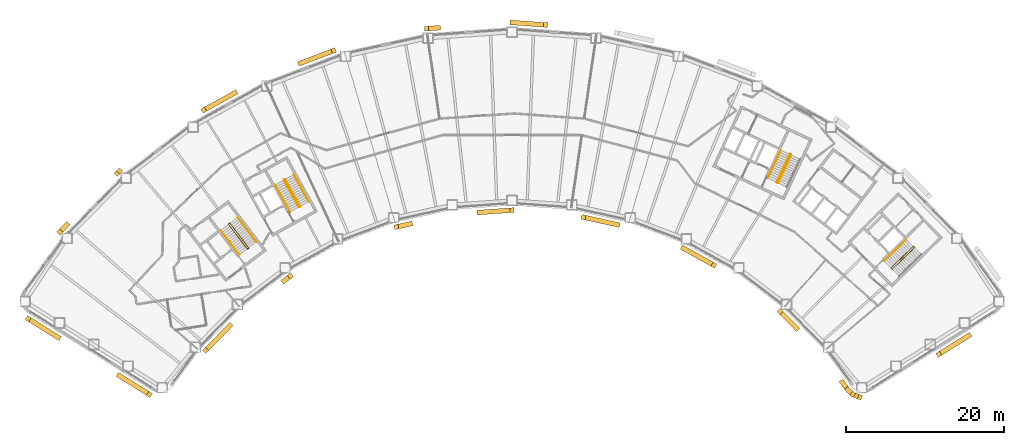
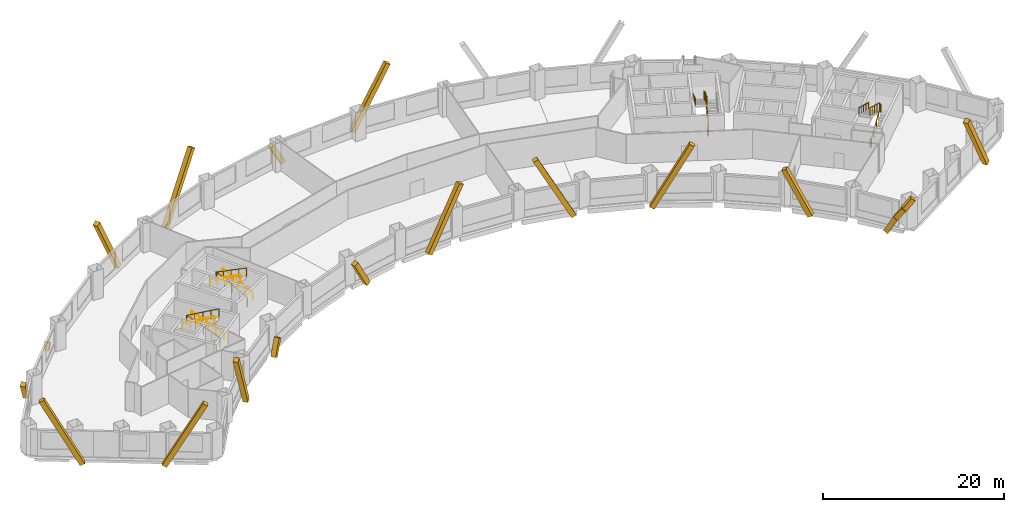
# One storey, part 10 of 11: 19 coverings, 10 railings.
"""IFC4 building model written with IfcOpenShell, lengths in metres."""

from ifc_helpers import new_model, si_unit, direction, frame, origin, origin_2d, place, context, subcontext, project, spatial, rectangle, circle, extrude, material, material_profile, profile_set, type_object, element, save


model = new_model("IFC4")

# Units and contexts
model_context = context("Model", 3, precision=1e-05, world=origin(), true_north=direction((0.0, 1.0)))
body_context = subcontext(model_context, "Body", "Model", "MODEL_VIEW")
ifc_project = project(units=[si_unit("LENGTHUNIT", "METRE"), si_unit("AREAUNIT", "SQUARE_METRE"), si_unit("VOLUMEUNIT", "CUBIC_METRE"), si_unit("PLANEANGLEUNIT", "RADIAN"), si_unit("MASSUNIT", "GRAM", prefix="KILO")], contexts=[model_context])

# Site, building, storey
site_placement = place(None, origin())
site = spatial("IfcSite", under=ifc_project, at=site_placement, CompositionType="ELEMENT")
building_placement = place(site_placement, origin())
building = spatial("IfcBuilding", under=site, at=building_placement, Name="Tuul Gate Civic Tower", CompositionType="ELEMENT")
storey_placement = place(building_placement, frame((0.0, 0.0, 39.89990234375)))
storey = spatial("IfcBuildingStorey", under=building, at=storey_placement, Name="Level 08", CompositionType="ELEMENT", Elevation=39.89990234375)

# Railings
ifc_material_1 = material(Name="Painted steel", Category="steel")
railing_type_1 = type_object("IfcRailingType", Name="Stair guard", PredefinedType="GUARDRAIL", material=ifc_material_1)
railing_1_placement = place(storey_placement, frame((-33.382080078125, -13.515380859375, 0.0)))
element("IfcRailing", 1, at=railing_1_placement, inside=storey, type_object=railing_type_1, Name="Level 08 ST-1 stair guard 1", PredefinedType="GUARDRAIL", context=body_context, shape_type="SweptSolid", body=[
    extrude(circle(Radius=0.02392578125, at=origin_2d()), frame((0.0, 0.0, 1.076171875), z_axis=(-0.795879841968, -0.605454603706, 0.0), x_axis=(0.605454603706, -0.795879841968, 0.0)), (0.0, 0.0, 1.0), 0.10009765625),
    extrude(circle(Radius=0.02392578125, at=origin_2d()), frame((-0.07958984375, -0.060546875, 1.076171875), z_axis=(0.408676696321, 0.599019267211, 0.688592241747), x_axis=(-0.826063974707, 0.563576356576, 0.0)), (0.0, 0.0, 1.0), 0.218017578125),
    extrude(circle(Radius=0.02392578125, at=origin_2d()), frame((0.009521484375, 0.070068359375, 1.22607421875), z_axis=(-0.541824460341, 0.711645023348, 0.447199748346), x_axis=(-0.795637165283, -0.60577347352, 0.0)), (0.0, 0.0, 1.0), 4.3603515625),
    extrude(circle(Radius=0.02392578125, at=origin_2d()), frame((-2.35302734375, 3.173095703125, 3.17626953125), z_axis=(-0.990893089246, 0.134650977284, 0.0), x_axis=(-0.134650977284, -0.990893089246, 0.0)), (0.0, 0.0, 1.0), 0.07080078125),
    extrude(circle(Radius=0.02392578125, at=origin_2d()), frame((-2.423095703125, 3.1826171875, 3.17626953125), z_axis=(-0.793802879778, -0.60817512943, 0.0), x_axis=(0.60817512943, -0.793802879778, 0.0)), (0.0, 0.0, 1.0), 0.099853515625),
    extrude(circle(Radius=0.02392578125, at=origin_2d()), frame((-2.50244140625, 3.121826171875, 3.17626953125), z_axis=(-0.057447065493, -0.422751481959, 0.904423031091), x_axis=(0.990893089246, -0.134650977284, 0.0)), (0.0, 0.0, 1.0), 0.165771484375),
    extrude(circle(Radius=0.02392578125, at=origin_2d()), frame((-2.511962890625, 3.0517578125, 3.326171875), z_axis=(0.541792925989, -0.711621155064, 0.447275929392), x_axis=(0.795644365679, 0.605764016233, 0.0)), (0.0, 0.0, 1.0), 4.360107421875),
    extrude(circle(Radius=0.02099609375, at=origin_2d()), origin(), (0.0, 0.0, 1.0), 1.052001953125),
    extrude(circle(Radius=0.02099609375, at=origin_2d()), frame((-0.07958984375, -0.060546875, 0.0)), (0.0, 0.0, 1.0), 1.052001953125),
    extrude(circle(Radius=0.02099609375, at=origin_2d()), frame((0.009521484375, 0.070068359375, 0.150146484375)), (0.0, 0.0, 1.0), 1.052001953125),
    extrude(circle(Radius=0.02099609375, at=origin_2d()), frame((-0.5810546875, 0.845703125, 0.6376953125)), (0.0, 0.0, 1.0), 1.052001953125),
    extrude(circle(Radius=0.02099609375, at=origin_2d()), frame((-1.171875, 1.62158203125, 1.125)), (0.0, 0.0, 1.0), 1.052001953125),
    extrude(circle(Radius=0.02099609375, at=origin_2d()), frame((-1.762451171875, 2.3974609375, 1.612548828125)), (0.0, 0.0, 1.0), 1.052001953125),
    extrude(circle(Radius=0.02099609375, at=origin_2d()), frame((-2.35302734375, 3.173095703125, 2.10009765625)), (0.0, 0.0, 1.0), 1.052001953125),
    extrude(circle(Radius=0.02099609375, at=origin_2d()), frame((-2.423095703125, 3.1826171875, 2.10009765625)), (0.0, 0.0, 1.0), 1.052001953125),
    extrude(circle(Radius=0.02099609375, at=origin_2d()), frame((-2.50244140625, 3.121826171875, 2.10009765625)), (0.0, 0.0, 1.0), 1.052001953125),
    extrude(circle(Radius=0.02099609375, at=origin_2d()), frame((-2.511962890625, 3.0517578125, 2.25)), (0.0, 0.0, 1.0), 1.052001953125),
    extrude(circle(Radius=0.02099609375, at=origin_2d()), frame((-1.92138671875, 2.276123046875, 2.737548828125)), (0.0, 0.0, 1.0), 1.052001953125),
    extrude(circle(Radius=0.02099609375, at=origin_2d()), frame((-1.330810546875, 1.50048828125, 3.22509765625)), (0.0, 0.0, 1.0), 1.052001953125),
    extrude(circle(Radius=0.02099609375, at=origin_2d()), frame((-0.740234375, 0.724609375, 3.712646484375)), (0.0, 0.0, 1.0), 1.052001953125),
    extrude(circle(Radius=0.02099609375, at=origin_2d()), frame((-0.149658203125, -0.051025390625, 4.2001953125)), (0.0, 0.0, 1.0), 1.052001953125),
])
railing_2_placement = place(storey_placement, frame((-26.857666015625, -8.247314453125, 0.0)))
element("IfcRailing", 2, at=railing_2_placement, inside=storey, type_object=railing_type_1, Name="Level 08 ST-2 stair guard 1", PredefinedType="GUARDRAIL", context=body_context, shape_type="SweptSolid", body=[
    extrude(circle(Radius=0.02392578125, at=origin_2d()), frame((0.0, 0.0, 1.076171875), z_axis=(-0.874616555828, -0.48481530532, 0.0), x_axis=(0.48481530532, -0.874616555828, 0.0)), (0.0, 0.0, 1.0), 0.10009765625),
    extrude(circle(Radius=0.02392578125, at=origin_2d()), frame((-0.087646484375, -0.048583984375, 1.076171875), z_axis=(0.490435707169, 0.534104639999, 0.688625479244), x_axis=(-0.736576986774, 0.676353711126, 0.0)), (0.0, 0.0, 1.0), 0.218017578125),
    extrude(circle(Radius=0.02392578125, at=origin_2d()), frame((0.019287109375, 0.06787109375, 1.22607421875), z_axis=(-0.43354991378, 0.782327185242, 0.447212083348), x_axis=(-0.874667644053, -0.484723129681, 0.0)), (0.0, 0.0, 1.0), 4.3603515625),
    extrude(circle(Radius=0.02392578125, at=origin_2d()), frame((-1.87109375, 3.47900390625, 3.17626953125), z_axis=(-0.961263487578, 0.275631107549, 0.0), x_axis=(-0.275631107549, -0.961263487578, 0.0)), (0.0, 0.0, 1.0), 0.07080078125),
    extrude(circle(Radius=0.02392578125, at=origin_2d()), frame((-1.939208984375, 3.49853515625, 3.17626953125), z_axis=(-0.874042088414, -0.485850211157, 0.0), x_axis=(0.485850211157, -0.874042088414, 0.0)), (0.0, 0.0, 1.0), 0.10009765625),
    extrude(circle(Radius=0.02392578125, at=origin_2d()), frame((-2.026611328125, 3.449951171875, 3.17626953125), z_axis=(-0.117866478395, -0.409586012422, 0.90462522168), x_axis=(0.961000426733, -0.276546885391, 0.0)), (0.0, 0.0, 1.0), 0.165771484375),
    extrude(circle(Radius=0.02392578125, at=origin_2d()), frame((-2.046142578125, 3.382080078125, 3.326171875), z_axis=(0.433584522764, -0.782288604346, 0.447246018574), x_axis=(0.874641102302, 0.484771020343, 0.0)), (0.0, 0.0, 1.0), 4.3603515625),
    extrude(circle(Radius=0.02099609375, at=origin_2d()), origin(), (0.0, 0.0, 1.0), 1.052001953125),
    extrude(circle(Radius=0.02099609375, at=origin_2d()), frame((-0.087646484375, -0.048583984375, 0.0)), (0.0, 0.0, 1.0), 1.052001953125),
    extrude(circle(Radius=0.02099609375, at=origin_2d()), frame((0.019287109375, 0.06787109375, 0.150146484375)), (0.0, 0.0, 1.0), 1.052001953125),
    extrude(circle(Radius=0.02099609375, at=origin_2d()), frame((-0.453369140625, 0.920654296875, 0.6376953125)), (0.0, 0.0, 1.0), 1.052001953125),
    extrude(circle(Radius=0.02099609375, at=origin_2d()), frame((-0.92578125, 1.7734375, 1.125)), (0.0, 0.0, 1.0), 1.052001953125),
    extrude(circle(Radius=0.02099609375, at=origin_2d()), frame((-1.3984375, 2.626220703125, 1.612548828125)), (0.0, 0.0, 1.0), 1.052001953125),
    extrude(circle(Radius=0.02099609375, at=origin_2d()), frame((-1.87109375, 3.47900390625, 2.10009765625)), (0.0, 0.0, 1.0), 1.052001953125),
    extrude(circle(Radius=0.02099609375, at=origin_2d()), frame((-1.939208984375, 3.49853515625, 2.10009765625)), (0.0, 0.0, 1.0), 1.052001953125),
    extrude(circle(Radius=0.02099609375, at=origin_2d()), frame((-2.026611328125, 3.449951171875, 2.10009765625)), (0.0, 0.0, 1.0), 1.052001953125),
    extrude(circle(Radius=0.02099609375, at=origin_2d()), frame((-2.046142578125, 3.382080078125, 2.25)), (0.0, 0.0, 1.0), 1.052001953125),
    extrude(circle(Radius=0.02099609375, at=origin_2d()), frame((-1.573486328125, 2.529296875, 2.737548828125)), (0.0, 0.0, 1.0), 1.052001953125),
    extrude(circle(Radius=0.02099609375, at=origin_2d()), frame((-1.100830078125, 1.676513671875, 3.22509765625)), (0.0, 0.0, 1.0), 1.052001953125),
    extrude(circle(Radius=0.02099609375, at=origin_2d()), frame((-0.628173828125, 0.82373046875, 3.712646484375)), (0.0, 0.0, 1.0), 1.052001953125),
    extrude(circle(Radius=0.02099609375, at=origin_2d()), frame((-0.155517578125, -0.029052734375, 4.2001953125)), (0.0, 0.0, 1.0), 1.052001953125),
])
railing_3_placement = place(storey_placement, frame((48.10546875, -16.134765625, 0.0)))
element("IfcRailing", 3, at=railing_3_placement, inside=storey, type_object=railing_type_1, Name="Level 08 ST-3 stair guard 1", PredefinedType="GUARDRAIL", context=body_context, shape_type="SweptSolid", body=[
    extrude(circle(Radius=0.02392578125, at=origin_2d()), frame((0.0, 0.0, 1.076171875), z_axis=(-0.698506948293, 0.715603272202, 0.0), x_axis=(-0.715603272202, -0.698506948293, 0.0)), (0.0, 0.0, 1.0), 0.099853515625),
    extrude(circle(Radius=0.02392578125, at=origin_2d()), frame((-0.06982421875, 0.071533203125, 1.076171875), z_axis=(0.644948864628, -0.331432055434, 0.688617277337), x_axis=(0.457068866502, 0.889431307788, 0.0)), (0.0, 0.0, 1.0), 0.218017578125),
    extrude(circle(Radius=0.02392578125, at=origin_2d()), frame((0.07080078125, -0.000732421875, 1.22607421875), z_axis=(0.638731261263, 0.626133563701, 0.447190268558), x_axis=(-0.700029477518, 0.714113947914, 0.0)), (0.0, 0.0, 1.0), 4.3603515625),
    extrude(circle(Radius=0.02392578125, at=origin_2d()), frame((2.85595703125, 2.7294921875, 3.17626953125), z_axis=(0.010380063588, 0.999946125689, 0.0), x_axis=(-0.999946125689, 0.010380063588, 0.0)), (0.0, 0.0, 1.0), 0.070556640625),
    extrude(circle(Radius=0.02392578125, at=origin_2d()), frame((2.856689453125, 2.800048828125, 3.17626953125), z_axis=(-0.699754442181, 0.714383454909, 0.0), x_axis=(-0.714383454909, -0.699754442181, 0.0)), (0.0, 0.0, 1.0), 0.10009765625),
    extrude(circle(Radius=0.02392578125, at=origin_2d()), frame((2.78662109375, 2.87158203125, 3.17626953125), z_axis=(-0.427069033481, 0.004417955519, 0.904208229508), x_axis=(-0.010344274102, -0.999946496565, 0.0)), (0.0, 0.0, 1.0), 0.165771484375),
    extrude(circle(Radius=0.02392578125, at=origin_2d()), frame((2.7158203125, 2.872314453125, 3.326171875), z_axis=(-0.638715268259, -0.626117886127, 0.447235059857), x_axis=(0.700029477518, -0.714113947914, 0.0)), (0.0, 0.0, 1.0), 4.360595703125),
    extrude(circle(Radius=0.02099609375, at=origin_2d()), origin(), (0.0, 0.0, 1.0), 1.052001953125),
    extrude(circle(Radius=0.02099609375, at=origin_2d()), frame((-0.06982421875, 0.071533203125, 0.0)), (0.0, 0.0, 1.0), 1.052001953125),
    extrude(circle(Radius=0.02099609375, at=origin_2d()), frame((0.07080078125, -0.000732421875, 0.150146484375)), (0.0, 0.0, 1.0), 1.052001953125),
    extrude(circle(Radius=0.02099609375, at=origin_2d()), frame((0.76708984375, 0.681884765625, 0.6376953125)), (0.0, 0.0, 1.0), 1.052001953125),
    extrude(circle(Radius=0.02099609375, at=origin_2d()), frame((1.46337890625, 1.3642578125, 1.125)), (0.0, 0.0, 1.0), 1.052001953125),
    extrude(circle(Radius=0.02099609375, at=origin_2d()), frame((2.15966796875, 2.046875, 1.612548828125)), (0.0, 0.0, 1.0), 1.052001953125),
    extrude(circle(Radius=0.02099609375, at=origin_2d()), frame((2.85595703125, 2.7294921875, 2.10009765625)), (0.0, 0.0, 1.0), 1.052001953125),
    extrude(circle(Radius=0.02099609375, at=origin_2d()), frame((2.856689453125, 2.800048828125, 2.10009765625)), (0.0, 0.0, 1.0), 1.052001953125),
    extrude(circle(Radius=0.02099609375, at=origin_2d()), frame((2.78662109375, 2.87158203125, 2.10009765625)), (0.0, 0.0, 1.0), 1.052001953125),
    extrude(circle(Radius=0.02099609375, at=origin_2d()), frame((2.7158203125, 2.872314453125, 2.25)), (0.0, 0.0, 1.0), 1.052001953125),
    extrude(circle(Radius=0.02099609375, at=origin_2d()), frame((2.01953125, 2.189697265625, 2.737548828125)), (0.0, 0.0, 1.0), 1.052001953125),
    extrude(circle(Radius=0.02099609375, at=origin_2d()), frame((1.3232421875, 1.50732421875, 3.22509765625)), (0.0, 0.0, 1.0), 1.052001953125),
    extrude(circle(Radius=0.02099609375, at=origin_2d()), frame((0.626953125, 0.82470703125, 3.712646484375)), (0.0, 0.0, 1.0), 1.052001953125),
    extrude(circle(Radius=0.02099609375, at=origin_2d()), frame((-0.0693359375, 0.14208984375, 4.2001953125)), (0.0, 0.0, 1.0), 1.052001953125),
])
railing_4_placement = place(storey_placement, frame((33.645751953125, -5.238525390625, 0.0)))
element("IfcRailing", 4, at=railing_4_placement, inside=storey, type_object=railing_type_1, Name="Level 08 ST-4 stair guard 1", PredefinedType="GUARDRAIL", context=body_context, shape_type="SweptSolid", body=[
    extrude(circle(Radius=0.02392578125, at=origin_2d()), frame((0.0, 0.0, 1.076171875), z_axis=(-0.906307919131, 0.422617978463, 0.0), x_axis=(-0.422617978463, -0.906307919131, 0.0)), (0.0, 0.0, 1.0), 0.099853515625),
    extrude(circle(Radius=0.02392578125, at=origin_2d()), frame((-0.090576171875, 0.042236328125, 1.076171875), z_axis=(0.720179819621, -0.082882280952, 0.688818956559), x_axis=(0.114330889033, 0.993442724979, 0.0)), (0.0, 0.0, 1.0), 0.218017578125),
    extrude(circle(Radius=0.02392578125, at=origin_2d()), frame((0.06640625, 0.024169921875, 1.22607421875), z_axis=(0.377946903738, 0.810654114417, 0.447209173356), x_axis=(-0.906336612539, 0.422556439746, 0.0)), (0.0, 0.0, 1.0), 4.3603515625),
    extrude(circle(Radius=0.02392578125, at=origin_2d()), frame((1.71435546875, 3.558837890625, 3.17626953125), z_axis=(-0.342020437038, 0.939692513883, 0.0), x_axis=(-0.939692513883, -0.342020437038, 0.0)), (0.0, 0.0, 1.0), 0.070556640625),
    extrude(circle(Radius=0.02392578125, at=origin_2d()), frame((1.690185546875, 3.625244140625, 3.17626953125), z_axis=(-0.906307919131, 0.422617978463, 0.0), x_axis=(-0.422617978463, -0.906307919131, 0.0)), (0.0, 0.0, 1.0), 0.099853515625),
    extrude(circle(Radius=0.02392578125, at=origin_2d()), frame((1.599609375, 3.66748046875, 3.17626953125), z_axis=(-0.40070210376, -0.145843780413, 0.904526072458), x_axis=(0.342020437038, -0.939692513883, 0.0)), (0.0, 0.0, 1.0), 0.165771484375),
    extrude(circle(Radius=0.02392578125, at=origin_2d()), frame((1.533203125, 3.643310546875, 3.326171875), z_axis=(-0.377937439636, -0.810633814971, 0.447253965602), x_axis=(0.906336612539, -0.422556439746, 0.0)), (0.0, 0.0, 1.0), 4.3603515625),
    extrude(circle(Radius=0.02099609375, at=origin_2d()), origin(), (0.0, 0.0, 1.0), 1.052001953125),
    extrude(circle(Radius=0.02099609375, at=origin_2d()), frame((-0.090576171875, 0.042236328125, 0.0)), (0.0, 0.0, 1.0), 1.052001953125),
    extrude(circle(Radius=0.02099609375, at=origin_2d()), frame((0.06640625, 0.024169921875, 0.150146484375)), (0.0, 0.0, 1.0), 1.052001953125),
    extrude(circle(Radius=0.02099609375, at=origin_2d()), frame((0.478515625, 0.90771484375, 0.6376953125)), (0.0, 0.0, 1.0), 1.052001953125),
    extrude(circle(Radius=0.02099609375, at=origin_2d()), frame((0.890380859375, 1.79150390625, 1.125)), (0.0, 0.0, 1.0), 1.052001953125),
    extrude(circle(Radius=0.02099609375, at=origin_2d()), frame((1.30224609375, 2.67529296875, 1.612548828125)), (0.0, 0.0, 1.0), 1.052001953125),
    extrude(circle(Radius=0.02099609375, at=origin_2d()), frame((1.71435546875, 3.558837890625, 2.10009765625)), (0.0, 0.0, 1.0), 1.052001953125),
    extrude(circle(Radius=0.02099609375, at=origin_2d()), frame((1.690185546875, 3.625244140625, 2.10009765625)), (0.0, 0.0, 1.0), 1.052001953125),
    extrude(circle(Radius=0.02099609375, at=origin_2d()), frame((1.599609375, 3.66748046875, 2.10009765625)), (0.0, 0.0, 1.0), 1.052001953125),
    extrude(circle(Radius=0.02099609375, at=origin_2d()), frame((1.533203125, 3.643310546875, 2.25)), (0.0, 0.0, 1.0), 1.052001953125),
    extrude(circle(Radius=0.02099609375, at=origin_2d()), frame((1.12109375, 2.759765625, 2.737548828125)), (0.0, 0.0, 1.0), 1.052001953125),
    extrude(circle(Radius=0.02099609375, at=origin_2d()), frame((0.709228515625, 1.8759765625, 3.22509765625)), (0.0, 0.0, 1.0), 1.052001953125),
    extrude(circle(Radius=0.02099609375, at=origin_2d()), frame((0.29736328125, 0.9921875, 3.712646484375)), (0.0, 0.0, 1.0), 1.052001953125),
    extrude(circle(Radius=0.02099609375, at=origin_2d()), frame((-0.11474609375, 0.108642578125, 4.2001953125)), (0.0, 0.0, 1.0), 1.052001953125),
])
ifc_material_2 = material(Name="Painted steel", Category="steel")
railing_type_2 = type_object("IfcRailingType", Name="Stair handrail", PredefinedType="HANDRAIL", material=ifc_material_2)
railing_5_placement = place(storey_placement, frame((-32.3779296875, -12.688232421875, 0.150146484375)))
element("IfcRailing", 5, at=railing_5_placement, inside=storey, type_object=railing_type_2, Name="Level 08 ST-1 stair handrail 1", PredefinedType="HANDRAIL", context=body_context, shape_type="SweptSolid", body=[
    extrude(circle(Radius=0.02392578125, at=origin_2d()), frame((0.0, 0.0, 0.8759765625), z_axis=(-0.541824460341, 0.711645023348, 0.447199748346), x_axis=(-0.795637165283, -0.60577347352, 0.0)), (0.0, 0.0, 1.0), 4.3603515625),
    extrude(circle(Radius=0.02099609375, at=origin_2d()), origin(), (0.0, 0.0, 1.0), 0.851806640625),
    extrude(circle(Radius=0.02099609375, at=origin_2d()), frame((-0.590576171875, 0.77587890625, 0.487548828125)), (0.0, 0.0, 1.0), 0.851806640625),
    extrude(circle(Radius=0.02099609375, at=origin_2d()), frame((-1.18115234375, 1.551513671875, 0.97509765625)), (0.0, 0.0, 1.0), 0.851806640625),
    extrude(circle(Radius=0.02099609375, at=origin_2d()), frame((-1.77197265625, 2.3271484375, 1.46240234375)), (0.0, 0.0, 1.0), 0.851806640625),
    extrude(circle(Radius=0.02099609375, at=origin_2d()), frame((-2.362548828125, 3.10302734375, 1.949951171875)), (0.0, 0.0, 1.0), 0.851806640625),
])
railing_6_placement = place(storey_placement, frame((-36.888671875, -11.220703125, 2.25)))
element("IfcRailing", 6, at=railing_6_placement, inside=storey, type_object=railing_type_2, Name="Level 08 ST-1 stair handrail 2", PredefinedType="HANDRAIL", context=body_context, shape_type="SweptSolid", body=[
    extrude(circle(Radius=0.02392578125, at=origin_2d()), frame((0.0, 0.0, 0.8759765625), z_axis=(0.541810893183, -0.711627203922, 0.44724454012), x_axis=(0.795637165283, 0.60577347352, 0.0)), (0.0, 0.0, 1.0), 4.3603515625),
    extrude(circle(Radius=0.02099609375, at=origin_2d()), origin(), (0.0, 0.0, 1.0), 0.851806640625),
    extrude(circle(Radius=0.02099609375, at=origin_2d()), frame((0.590576171875, -0.77587890625, 0.487548828125)), (0.0, 0.0, 1.0), 0.851806640625),
    extrude(circle(Radius=0.02099609375, at=origin_2d()), frame((1.18115234375, -1.551513671875, 0.97509765625)), (0.0, 0.0, 1.0), 0.851806640625),
    extrude(circle(Radius=0.02099609375, at=origin_2d()), frame((1.77197265625, -2.3271484375, 1.462646484375)), (0.0, 0.0, 1.0), 0.851806640625),
    extrude(circle(Radius=0.02099609375, at=origin_2d()), frame((2.362548828125, -3.10302734375, 1.9501953125)), (0.0, 0.0, 1.0), 0.851806640625),
])
railing_7_placement = place(storey_placement, frame((-25.744873046875, -7.573486328125, 0.150146484375)))
element("IfcRailing", 7, at=railing_7_placement, inside=storey, type_object=railing_type_2, Name="Level 08 ST-2 stair handrail 1", PredefinedType="HANDRAIL", context=body_context, shape_type="SweptSolid", body=[
    extrude(circle(Radius=0.02392578125, at=origin_2d()), frame((0.0, 0.0, 0.8759765625), z_axis=(-0.433595379963, 0.782308193291, 0.447201226726), x_axis=(-0.874641102302, -0.484771020343, 0.0)), (0.0, 0.0, 1.0), 4.3603515625),
    extrude(circle(Radius=0.02099609375, at=origin_2d()), origin(), (0.0, 0.0, 1.0), 0.851806640625),
    extrude(circle(Radius=0.02099609375, at=origin_2d()), frame((-0.47265625, 0.852783203125, 0.487548828125)), (0.0, 0.0, 1.0), 0.851806640625),
    extrude(circle(Radius=0.02099609375, at=origin_2d()), frame((-0.9453125, 1.70556640625, 0.97509765625)), (0.0, 0.0, 1.0), 0.851806640625),
    extrude(circle(Radius=0.02099609375, at=origin_2d()), frame((-1.41796875, 2.558349609375, 1.46240234375)), (0.0, 0.0, 1.0), 0.851806640625),
    extrude(circle(Radius=0.02099609375, at=origin_2d()), frame((-1.890625, 3.4111328125, 1.949951171875)), (0.0, 0.0, 1.0), 0.851806640625),
])
railing_8_placement = place(storey_placement, frame((-29.9970703125, -5.47119140625, 2.25)))
element("IfcRailing", 8, at=railing_8_placement, inside=storey, type_object=railing_type_2, Name="Level 08 ST-2 stair handrail 2", PredefinedType="HANDRAIL", context=body_context, shape_type="SweptSolid", body=[
    extrude(circle(Radius=0.02392578125, at=origin_2d()), frame((0.0, 0.0, 0.8759765625), z_axis=(0.433584522764, -0.782288604346, 0.447246018574), x_axis=(0.874641102302, 0.484771020343, 0.0)), (0.0, 0.0, 1.0), 4.3603515625),
    extrude(circle(Radius=0.02099609375, at=origin_2d()), origin(), (0.0, 0.0, 1.0), 0.851806640625),
    extrude(circle(Radius=0.02099609375, at=origin_2d()), frame((0.47265625, -0.852783203125, 0.487548828125)), (0.0, 0.0, 1.0), 0.851806640625),
    extrude(circle(Radius=0.02099609375, at=origin_2d()), frame((0.9453125, -1.70556640625, 0.97509765625)), (0.0, 0.0, 1.0), 0.851806640625),
    extrude(circle(Radius=0.02099609375, at=origin_2d()), frame((1.41796875, -2.558349609375, 1.462646484375)), (0.0, 0.0, 1.0), 0.851806640625),
    extrude(circle(Radius=0.02099609375, at=origin_2d()), frame((1.890625, -3.4111328125, 1.9501953125)), (0.0, 0.0, 1.0), 0.851806640625),
])
railing_9_placement = place(storey_placement, frame((49.9462890625, -12.369873046875, 2.25)))
element("IfcRailing", 9, at=railing_9_placement, inside=storey, type_object=railing_type_2, Name="Level 08 ST-3 stair handrail 2", PredefinedType="HANDRAIL", context=body_context, shape_type="SweptSolid", body=[
    extrude(circle(Radius=0.02392578125, at=origin_2d()), frame((0.0, 0.0, 0.8759765625), z_axis=(-0.638737658801, -0.626083844733, 0.447250737947), x_axis=(0.699997553204, -0.714145241186, 0.0)), (0.0, 0.0, 1.0), 4.3603515625),
    extrude(circle(Radius=0.02099609375, at=origin_2d()), origin(), (0.0, 0.0, 1.0), 0.851806640625),
    extrude(circle(Radius=0.02099609375, at=origin_2d()), frame((-0.6962890625, -0.6826171875, 0.487548828125)), (0.0, 0.0, 1.0), 0.851806640625),
    extrude(circle(Radius=0.02099609375, at=origin_2d()), frame((-1.392578125, -1.364990234375, 0.97509765625)), (0.0, 0.0, 1.0), 0.851806640625),
    extrude(circle(Radius=0.02099609375, at=origin_2d()), frame((-2.0888671875, -2.04736328125, 1.462646484375)), (0.0, 0.0, 1.0), 0.851806640625),
    extrude(circle(Radius=0.02099609375, at=origin_2d()), frame((-2.78515625, -2.72998046875, 1.9501953125)), (0.0, 0.0, 1.0), 0.851806640625),
])
railing_10_placement = place(storey_placement, frame((34.046142578125, -1.06689453125, 2.25)))
element("IfcRailing", 10, at=railing_10_placement, inside=storey, type_object=railing_type_2, Name="Level 08 ST-4 stair handrail 2", PredefinedType="HANDRAIL", context=body_context, shape_type="SweptSolid", body=[
    extrude(circle(Radius=0.02392578125, at=origin_2d()), frame((0.0, 0.0, 0.8759765625), z_axis=(-0.377985431313, -0.810616660428, 0.447244500863), x_axis=(0.906312636903, -0.422607861012, 0.0)), (0.0, 0.0, 1.0), 4.3603515625),
    extrude(circle(Radius=0.02099609375, at=origin_2d()), origin(), (0.0, 0.0, 1.0), 0.851806640625),
    extrude(circle(Radius=0.02099609375, at=origin_2d()), frame((-0.412109375, -0.8837890625, 0.487548828125)), (0.0, 0.0, 1.0), 0.851806640625),
    extrude(circle(Radius=0.02099609375, at=origin_2d()), frame((-0.82421875, -1.767333984375, 0.97509765625)), (0.0, 0.0, 1.0), 0.851806640625),
    extrude(circle(Radius=0.02099609375, at=origin_2d()), frame((-1.236083984375, -2.65087890625, 1.462646484375)), (0.0, 0.0, 1.0), 0.851806640625),
    extrude(circle(Radius=0.02099609375, at=origin_2d()), frame((-1.648193359375, -3.53466796875, 1.9501953125)), (0.0, 0.0, 1.0), 0.851806640625),
])

# Coverings
ifc_material_3 = material(Name="Terracotta baguette", Category="masonry")
ifc_material_profile = material_profile(ifc_material_3, rectangle(XDim=0.60009765625, YDim=0.60009765625, at=origin_2d()), Name="Terracotta baguette screen frame")
ifc_profile_set = profile_set([ifc_material_profile], Name="Terracotta baguette")
covering_type = type_object("IfcCoveringType", Name="Terracotta baguette screen frame", PredefinedType="CLADDING", material=ifc_profile_set)
covering_1_placement = place(storey_placement, frame((57.901123046875, -24.52685546875, -0.349853515625), z_axis=(-0.402295613037, -0.25136119713, 0.880327091659), x_axis=(0.529887423043, -0.848067991909, 0.0)))
element("IfcCovering", 11, at=covering_1_placement, inside=storey, type_object=covering_type, Name="Baguette 3", PredefinedType="CLADDING", context=body_context, shape_type="SweptSolid", body=[
    extrude(rectangle(XDim=0.60009765625, YDim=0.60009765625, at=origin_2d()), origin(), (0.0, 0.0, 1.0), 9.541748046875),
])
covering_2_placement = place(storey_placement, frame((4.255615234375, 14.793701171875, 8.050048828125), z_axis=(-0.473932077246, 0.034339751796, -0.879891565822), x_axis=(-0.072267661138, -0.997385274181, 0.0)))
element("IfcCovering", 12, at=covering_2_placement, inside=storey, type_object=covering_type, Name="Baguette 69", PredefinedType="CLADDING", context=body_context, shape_type="SweptSolid", body=[
    extrude(rectangle(XDim=0.60009765625, YDim=0.60009765625, at=origin_2d()), origin(), (0.0, 0.0, 1.0), 8.9794921875),
])
covering_3_placement = place(storey_placement, frame((-9.3173828125, 14.427001953125, -0.349853515625), z_axis=(-0.473990641609, -0.034290320545, 0.879861946889), x_axis=(0.072155305808, -0.997393408763, 0.0)))
element("IfcCovering", 13, at=covering_3_placement, inside=storey, type_object=covering_type, Name="Baguette 81", PredefinedType="CLADDING", context=body_context, shape_type="SweptSolid", body=[
    extrude(rectangle(XDim=0.60009765625, YDim=0.60009765625, at=origin_2d()), origin(), (0.0, 0.0, 1.0), 3.175537109375),
])
for number, where, z_axis, x_axis, name in (
    (14, (-22.587158203125, 11.540283203125, 8.050048828125), (-0.444450917783, -0.168046894571, -0.879899780036), (0.353664314999, -0.935372413692, 0.0), "Baguette 93"),
    (15, (-35.072998046875, 6.2021484375, -0.349853515625), (-0.415580447836, -0.230346651917, 0.87990528543), (0.484788124357, -0.87463162216, 0.0), "Baguette 102"),
):
    element("IfcCovering", number, at=place(storey_placement, frame(where, z_axis=z_axis, x_axis=x_axis)), inside=storey, type_object=covering_type, Name=name, PredefinedType="CLADDING", context=body_context, shape_type="SweptSolid", body=[
        extrude(rectangle(XDim=0.60009765625, YDim=0.60009765625, at=origin_2d()), origin(), (0.0, 0.0, 1.0), 9.54638671875),
    ])
covering_4_placement = place(storey_placement, frame((-49.693603515625, -3.690185546875, 0.47998046875), z_axis=(-0.332638810643, -0.339369245722, -0.879874955157), x_axis=(0.714152927454, -0.699989711502, 0.0)))
element("IfcCovering", 16, at=covering_4_placement, inside=storey, type_object=covering_type, Name="Baguette 112", PredefinedType="CLADDING", context=body_context, shape_type="SweptSolid", body=[
    extrude(rectangle(XDim=0.60009765625, YDim=0.60009765625, at=origin_2d()), origin(), (0.0, 0.0, 1.0), 0.943115234375),
])
covering_5_placement = place(storey_placement, frame((-56.35791015625, -10.4892578125, -0.349853515625), z_axis=(-0.332611284769, -0.339322780819, 0.879903280856), x_axis=(0.714133971277, -0.700009050705, 0.0)))
element("IfcCovering", 17, at=covering_5_placement, inside=storey, type_object=covering_type, Name="Baguette 123", PredefinedType="CLADDING", context=body_context, shape_type="SweptSolid", body=[
    extrude(rectangle(XDim=0.60009765625, YDim=0.60009765625, at=origin_2d()), origin(), (0.0, 0.0, 1.0), 2.801025390625),
])
for number, where, z_axis, x_axis, name in (
    (18, (-61.283935546875, -22.4130859375, 8.050048828125), (0.402293025591, -0.251385166726, -0.880321429656), (0.529926214669, 0.848043753002, 0.0), "Baguette 147"),
    (19, (-49.767578125, -29.609130859375, -0.349853515625), (0.402293025591, -0.251385166726, 0.880321429656), (0.529926214669, 0.848043753002, 0.0), "Baguette 154"),
):
    element("IfcCovering", number, at=place(storey_placement, frame(where, z_axis=z_axis, x_axis=x_axis)), inside=storey, type_object=covering_type, Name=name, PredefinedType="CLADDING", context=body_context, shape_type="SweptSolid", body=[
        extrude(rectangle(XDim=0.60009765625, YDim=0.60009765625, at=origin_2d()), origin(), (0.0, 0.0, 1.0), 9.541748046875),
    ])
covering_6_placement = place(storey_placement, frame((-38.8056640625, -26.439453125, 8.050048828125), z_axis=(0.326307578482, 0.332890300317, -0.884707529176), x_axis=(-0.714132313758, 0.700010741665, 0.0)))
element("IfcCovering", 20, at=covering_6_placement, inside=storey, type_object=covering_type, Name="Baguette 178", PredefinedType="CLADDING", context=body_context, shape_type="SweptSolid", body=[
    extrude(rectangle(XDim=0.60009765625, YDim=0.60009765625, at=origin_2d()), origin(), (0.0, 0.0, 1.0), 9.49462890625),
])
covering_7_placement = place(storey_placement, frame((-28.902099609375, -17.647216796875, -0.349853515625), z_axis=(0.370892271945, 0.282434519421, 0.884686195694), x_axis=(-0.605839521282, 0.795586874234, 0.0)))
element("IfcCovering", 21, at=covering_7_placement, inside=storey, type_object=covering_type, Name="Baguette 188", PredefinedType="CLADDING", context=body_context, shape_type="SweptSolid", body=[
    extrude(rectangle(XDim=0.60009765625, YDim=0.60009765625, at=origin_2d()), origin(), (0.0, 0.0, 1.0), 2.24658203125),
])
covering_8_placement = place(storey_placement, frame((-14.642578125, -10.792724609375, 3.105712890625), z_axis=(0.455228552441, 0.100321546982, -0.884704782542), x_axis=(-0.215212210255, 0.976567306721, 0.0)))
element("IfcCovering", 22, at=covering_8_placement, inside=storey, type_object=covering_type, Name="Baguette 201", PredefinedType="CLADDING", context=body_context, shape_type="SweptSolid", body=[
    extrude(rectangle(XDim=0.60009765625, YDim=0.60009765625, at=origin_2d()), origin(), (0.0, 0.0, 1.0), 3.906005859375),
])
covering_9_placement = place(storey_placement, frame((-4.152099609375, -8.961181640625, -0.349853515625), z_axis=(0.46493425152, 0.033625514751, 0.884706429569), x_axis=(-0.07213475166, 0.997394895517, 0.0)))
element("IfcCovering", 23, at=covering_9_placement, inside=storey, type_object=covering_type, Name="Baguette 214", PredefinedType="CLADDING", context=body_context, shape_type="SweptSolid", body=[
    extrude(rectangle(XDim=0.60009765625, YDim=0.60009765625, at=origin_2d()), origin(), (0.0, 0.0, 1.0), 8.930419921875),
])
for number, where, z_axis, x_axis, name in (
    (24, (9.055908203125, -9.561279296875, 8.050048828125), (0.455212630132, -0.10033551843, -0.884711390856), (0.21524797351, 0.976559424664, 0.0), "Baguette 226"),
    (25, (21.70263671875, -13.48388671875, -0.349853515625), (0.407716435438, -0.225972000166, 0.884705580075), (0.484762177087, 0.87464600363, 0.0), "Baguette 237"),
):
    element("IfcCovering", number, at=place(storey_placement, frame(where, z_axis=z_axis, x_axis=x_axis)), inside=storey, type_object=covering_type, Name=name, PredefinedType="CLADDING", context=body_context, shape_type="SweptSolid", body=[
        extrude(rectangle(XDim=0.60009765625, YDim=0.60009765625, at=origin_2d()), origin(), (0.0, 0.0, 1.0), 9.49462890625),
    ])
covering_10_placement = place(storey_placement, frame((33.970458984375, -21.5068359375, 5.357177734375), z_axis=(0.326313416277, -0.332898725304, -0.884702205857), x_axis=(0.714134909565, 0.700008093482, 0.0)))
element("IfcCovering", 26, at=covering_10_placement, inside=storey, type_object=covering_type, Name="Baguette 247", PredefinedType="CLADDING", context=body_context, shape_type="SweptSolid", body=[
    extrude(rectangle(XDim=0.60009765625, YDim=0.60009765625, at=origin_2d()), origin(), (0.0, 0.0, 1.0), 6.45068359375),
])
covering_11_placement = place(storey_placement, frame((41.828369140625, -30.45361328125, -0.349853515625), z_axis=(0.278597074614, -0.381606916432, 0.881339793353), x_axis=(0.807662774431, 0.589644675037, 0.0)))
element("IfcCovering", 27, at=covering_11_placement, inside=storey, type_object=covering_type, Name="Baguette 264", PredefinedType="CLADDING", context=body_context, shape_type="SweptSolid", body=[
    extrude(rectangle(XDim=0.60009765625, YDim=0.60009765625, at=origin_2d()), origin(), (0.0, 0.0, 1.0), 2.438720703125),
])
covering_12_placement = place(storey_placement, frame((42.5078125, -31.38427734375, 1.799560546875), z_axis=(0.418568484912, -0.391874462144, 0.819289222044), x_axis=(0.683445771731, 0.730001285686, 0.0)))
element("IfcCovering", 28, at=covering_12_placement, inside=storey, type_object=covering_type, Name="Baguette 265", PredefinedType="CLADDING", context=body_context, shape_type="SweptSolid", body=[
    extrude(rectangle(XDim=0.60009765625, YDim=0.60009765625, at=origin_2d()), origin(), (0.0, 0.0, 1.0), 1.572998046875),
])
covering_13_placement = place(storey_placement, frame((43.166259765625, -32.000732421875, 3.08837890625), z_axis=(0.560251001878, -0.222046096727, 0.798006482319), x_axis=(0.36845020329, 0.929647485715, 0.0)))
element("IfcCovering", 29, at=covering_13_placement, inside=storey, type_object=covering_type, Name="Baguette 266", PredefinedType="CLADDING", context=body_context, shape_type="SweptSolid", body=[
    extrude(rectangle(XDim=0.60009765625, YDim=0.60009765625, at=origin_2d()), origin(), (0.0, 0.0, 1.0), 1.6162109375),
])

save(model, "model.ifc")
